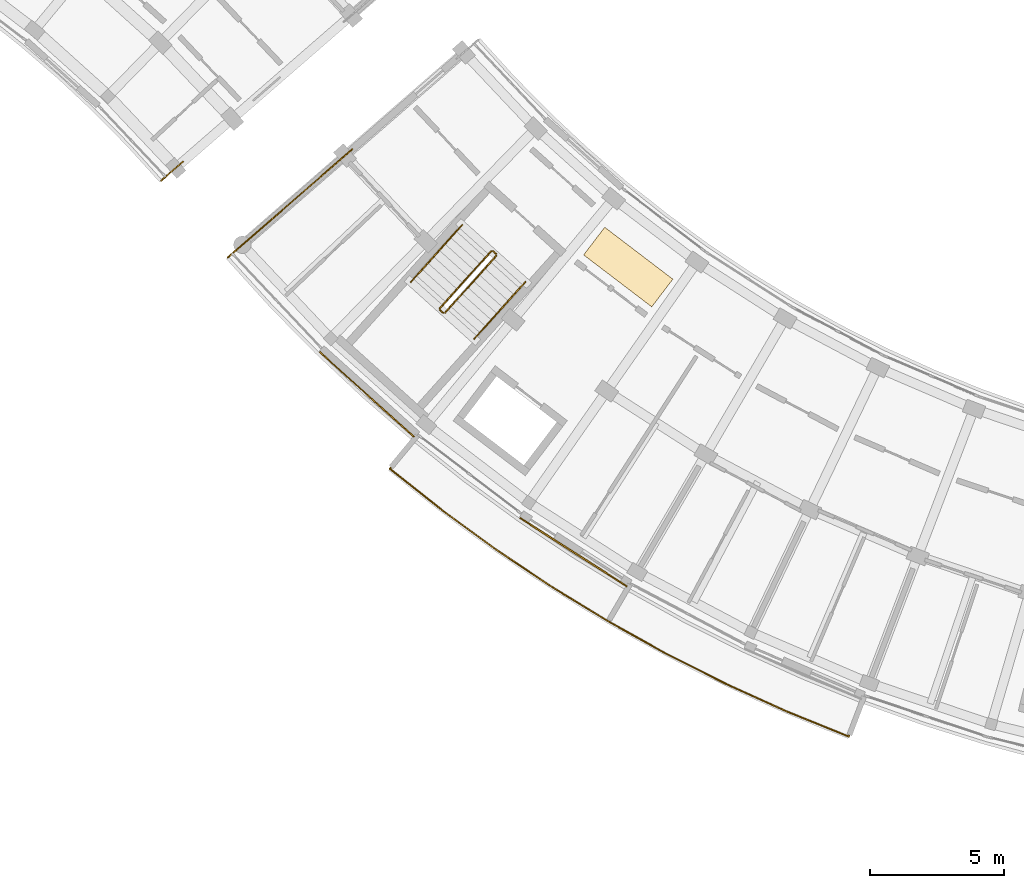
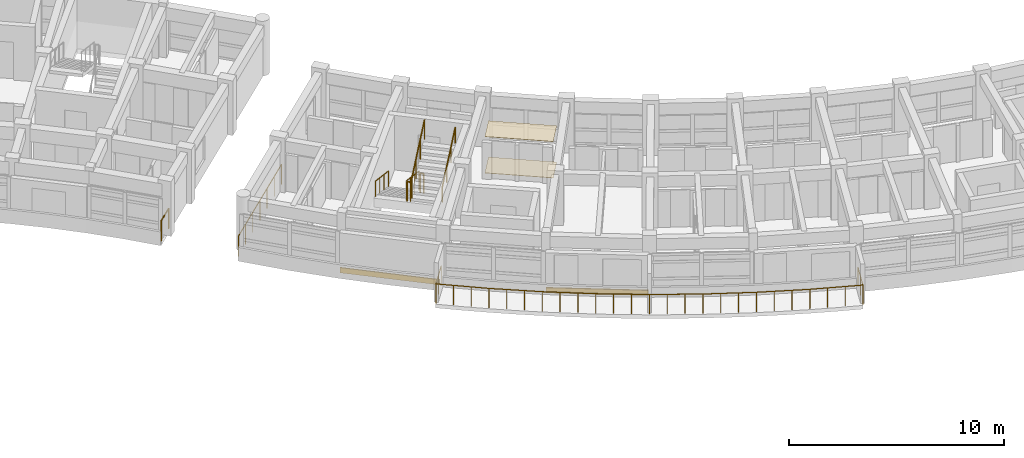
# One storey, part 44 of 50: 9 railings, 4 coverings.
"""IFC4 building model written with IfcOpenShell, lengths in metres."""

from ifc_helpers import new_model, si_unit, direction, frame, origin, origin_2d, place, context, subcontext, project, spatial, rectangle, circle, extrude, material, layer, layer_set, type_object, element, save


model = new_model("IFC4")

# Units and contexts
model_context = context("Model", 3, precision=1e-05, world=origin(), true_north=direction((0.0, 1.0)))
body_context = subcontext(model_context, "Body", "Model", "MODEL_VIEW")
ifc_project = project(units=[si_unit("LENGTHUNIT", "METRE"), si_unit("AREAUNIT", "SQUARE_METRE"), si_unit("VOLUMEUNIT", "CUBIC_METRE"), si_unit("PLANEANGLEUNIT", "RADIAN"), si_unit("MASSUNIT", "GRAM", prefix="KILO")], contexts=[model_context])

# Site, building, storey
site_placement = place(None, origin())
site = spatial("IfcSite", under=ifc_project, at=site_placement, CompositionType="ELEMENT")
building_placement = place(site_placement, origin())
building = spatial("IfcBuilding", under=site, at=building_placement, Name="Zimvara Arc Housing Community", CompositionType="ELEMENT")
storey_placement = place(building_placement, frame((0.0, 0.0, 26.699951171875)))
storey = spatial("IfcBuildingStorey", under=building, at=storey_placement, Name="L08", CompositionType="ELEMENT", Elevation=26.699951171875)

# Coverings
ifc_material_1 = material(Name="Pale-Gold Anodised Aluminium Cladding", Category="aluminium")
ifc_layer_1 = layer(ifc_material_1, 0.044921875)
ifc_layer_set_1 = layer_set([ifc_layer_1], Name="Pale-Gold Anodised Aluminium Cladding")
covering_type_1 = type_object("IfcCoveringType", Name="CLD-GOLD-02", PredefinedType="CLADDING", material=ifc_layer_set_1)
covering_1_placement = place(storey_placement, frame((86.1943359375, 65.642333984375, 0.01025390625), z_axis=(0.0, 0.0, 1.0), x_axis=(0.74337718344, -0.668872456557, 0.0)))
element("IfcCovering", 1, at=covering_1_placement, inside=storey, type_object=covering_type_1, Name="cld:blkC:L08:out:b1", PredefinedType="CLADDING", context=body_context, shape_type="SweptSolid", body=[
    extrude(rectangle(XDim=4.748779296875, YDim=0.044921875, at=origin_2d()), origin(), (0.0, 0.0, 1.0), 0.300048828125),
])
ifc_material_2 = material(Name="Pale-Gold Anodised Aluminium Cladding", Category="aluminium")
ifc_layer_2 = layer(ifc_material_2, 0.054931640625)
ifc_layer_set_2 = layer_set([ifc_layer_2], Name="Pale-Gold Anodised Aluminium Cladding")
covering_type_2 = type_object("IfcCoveringType", Name="CLD-GOLD-04", PredefinedType="CLADDING", material=ifc_layer_set_2)
covering_2_placement = place(storey_placement, frame((93.909912109375, 59.751953125, 0.01025390625), z_axis=(0.0, 0.0, 1.0), x_axis=(0.842265220048, -0.53906335351, 0.0)))
element("IfcCovering", 2, at=covering_2_placement, inside=storey, type_object=covering_type_2, Name="cld:blkC:L08:out:b3", PredefinedType="CLADDING", context=body_context, shape_type="SweptSolid", body=[
    extrude(rectangle(XDim=4.748779296875, YDim=0.054931640625, at=origin_2d()), origin(), (0.0, 0.0, 1.0), 0.300048828125),
])
ifc_material_3 = material(Name="Perforated Acoustic Ceiling Board")
ifc_layer_3 = layer(ifc_material_3, 0.01806640625)
ifc_layer_set_3 = layer_set([ifc_layer_3], Name="Perforated Acoustic Ceiling Board")
covering_type_3 = type_object("IfcCoveringType", Name="COV-CEIL-01", PredefinedType="CEILING", material=ifc_layer_set_3)
covering_3_placement = place(storey_placement, frame((95.954833984375, 70.40087890625, 2.06201171875), z_axis=(0.0, 0.0, 1.0), x_axis=(-0.605988400266, -0.795473480855, 0.0)))
element("IfcCovering", 3, at=covering_3_placement, inside=storey, type_object=covering_type_3, Name="ceil:blkC:L08", PredefinedType="CEILING", context=body_context, shape_type="SweptSolid", body=[
    extrude(rectangle(XDim=1.300048828125, YDim=3.199951171875, at=origin_2d()), origin(), (0.0, 0.0, 1.0), 0.01806640625),
])
ifc_material_4 = material(Name="Polished Coastal Sand Terrazzo")
ifc_layer_4 = layer(ifc_material_4, 0.02001953125)
ifc_layer_set_4 = layer_set([ifc_layer_4], Name="Polished Coastal Sand Terrazzo")
covering_type_4 = type_object("IfcCoveringType", Name="COV-FLOR-01", PredefinedType="FLOORING", material=ifc_layer_set_4)
covering_4_placement = place(storey_placement, frame((95.954833984375, 70.40087890625, 0.0), z_axis=(0.0, 0.0, 1.0), x_axis=(-0.605988400266, -0.795473480855, 0.0)))
element("IfcCovering", 4, at=covering_4_placement, inside=storey, type_object=covering_type_4, Name="flor:blkC:L08", PredefinedType="FLOORING", context=body_context, shape_type="SweptSolid", body=[
    extrude(rectangle(XDim=1.300048828125, YDim=3.199951171875, at=origin_2d()), origin(), (0.0, 0.0, 1.0), 0.02001953125),
])

# Railings
ifc_material_5 = material(Name="Anodised Aluminium AW-6063", Category="aluminium")
railing_type_1 = type_object("IfcRailingType", Name="RLG-BAL-1120", PredefinedType="BALUSTRADE", material=ifc_material_5)
railing_1_placement = place(storey_placement, frame((87.9892578125, 64.00244140625, 0.0)))
element("IfcRailing", 5, at=railing_1_placement, inside=storey, type_object=railing_type_1, Name="rlg:blkC:L08:bal_out_guard", PredefinedType="BALUSTRADE", context=body_context, shape_type="SweptSolid", body=[
    extrude(circle(Radius=0.02392578125, at=origin_2d()), frame((0.0, 0.0, 1.09619140625), z_axis=(-0.637910943987, -0.770110139877, 0.0), x_axis=(0.770110139877, -0.637910943987, 0.0)), (0.0, 0.0, 1.0), 1.469970703125),
    extrude(circle(Radius=0.02392578125, at=origin_2d()), frame((-0.937744140625, -1.132080078125, 1.09619140625), z_axis=(0.782995761949, -0.622027038616, 0.0), x_axis=(0.622027038616, 0.782995761949, 0.0)), (0.0, 0.0, 1.0), 2.491943359375),
    extrude(circle(Radius=0.02392578125, at=origin_2d()), frame((1.013427734375, -2.68212890625, 1.09619140625), z_axis=(0.807645933057, -0.58966774273, 0.0), x_axis=(0.58966774273, 0.807645933057, 0.0)), (0.0, 0.0, 1.0), 2.491943359375),
    extrude(circle(Radius=0.02392578125, at=origin_2d()), frame((3.026123046875, -4.151611328125, 1.09619140625), z_axis=(0.831084288939, -0.556146477719, 0.0), x_axis=(0.556146477719, 0.831084288939, 0.0)), (0.0, 0.0, 1.0), 2.49169921875),
    extrude(circle(Radius=0.02392578125, at=origin_2d()), frame((5.096923828125, -5.537353515625, 1.09619140625), z_axis=(0.85308804422, -0.521766987083, 0.0), x_axis=(0.521766987083, 0.85308804422, 0.0)), (0.0, 0.0, 1.0), 2.4921875),
    extrude(circle(Radius=0.02392578125, at=origin_2d()), frame((7.222900390625, -6.837646484375, 1.09619140625), z_axis=(0.873694706728, -0.48647462363, 0.0), x_axis=(0.48647462363, 0.873694706728, 0.0)), (0.0, 0.0, 1.0), 2.49169921875),
    extrude(circle(Radius=0.02392578125, at=origin_2d()), frame((9.39990234375, -8.0498046875, 1.09619140625), z_axis=(0.892794985218, -0.450463221994, 0.0), x_axis=(0.450463221994, 0.892794985218, 0.0)), (0.0, 0.0, 1.0), 2.491943359375),
    extrude(circle(Radius=0.02392578125, at=origin_2d()), frame((11.624755859375, -9.17236328125, 1.09619140625), z_axis=(0.910497277135, -0.413515064212, 0.0), x_axis=(0.413515064212, 0.910497277135, 0.0)), (0.0, 0.0, 1.0), 2.4921875),
    extrude(circle(Radius=0.02392578125, at=origin_2d()), frame((13.893798828125, -10.202880859375, 1.09619140625), z_axis=(0.926599979092, -0.376048505843, 0.0), x_axis=(0.376048505843, 0.926599979092, 0.0)), (0.0, 0.0, 1.0), 2.49169921875),
    extrude(circle(Radius=0.02392578125, at=origin_2d()), frame((16.20263671875, -11.139892578125, 1.09619140625), z_axis=(0.357086323574, 0.934071387805, 0.0), x_axis=(-0.934071387805, 0.357086323574, 0.0)), (0.0, 0.0, 1.0), 1.469970703125),
    extrude(circle(Radius=0.02099609375, at=origin_2d()), origin(), (0.0, 0.0, 1.0), 1.072021484375),
    extrude(circle(Radius=0.02099609375, at=origin_2d()), frame((-0.46875, -0.56591796875, 0.0)), (0.0, 0.0, 1.0), 1.072021484375),
    extrude(circle(Radius=0.02099609375, at=origin_2d()), frame((-0.937744140625, -1.132080078125, 0.0)), (0.0, 0.0, 1.0), 1.072021484375),
    extrude(circle(Radius=0.02099609375, at=origin_2d()), frame((-0.287353515625, -1.648681640625, 0.0)), (0.0, 0.0, 1.0), 1.072021484375),
    extrude(circle(Radius=0.02099609375, at=origin_2d()), frame((0.363037109375, -2.16552734375, 0.0)), (0.0, 0.0, 1.0), 1.072021484375),
    extrude(circle(Radius=0.02099609375, at=origin_2d()), frame((1.013427734375, -2.68212890625, 0.0)), (0.0, 0.0, 1.0), 1.072021484375),
    extrude(circle(Radius=0.02099609375, at=origin_2d()), frame((1.684326171875, -3.171875, 0.0)), (0.0, 0.0, 1.0), 1.072021484375),
    extrude(circle(Radius=0.02099609375, at=origin_2d()), frame((2.355224609375, -3.661865234375, 0.0)), (0.0, 0.0, 1.0), 1.072021484375),
    extrude(circle(Radius=0.02099609375, at=origin_2d()), frame((3.026123046875, -4.151611328125, 0.0)), (0.0, 0.0, 1.0), 1.072021484375),
    extrude(circle(Radius=0.02099609375, at=origin_2d()), frame((3.71630859375, -4.613525390625, 0.0)), (0.0, 0.0, 1.0), 1.072021484375),
    extrude(circle(Radius=0.02099609375, at=origin_2d()), frame((4.40673828125, -5.075439453125, 0.0)), (0.0, 0.0, 1.0), 1.072021484375),
    extrude(circle(Radius=0.02099609375, at=origin_2d()), frame((5.096923828125, -5.537353515625, 0.0)), (0.0, 0.0, 1.0), 1.072021484375),
    extrude(circle(Radius=0.02099609375, at=origin_2d()), frame((5.8056640625, -5.970703125, 0.0)), (0.0, 0.0, 1.0), 1.072021484375),
    extrude(circle(Radius=0.02099609375, at=origin_2d()), frame((6.51416015625, -6.404296875, 0.0)), (0.0, 0.0, 1.0), 1.072021484375),
    extrude(circle(Radius=0.02099609375, at=origin_2d()), frame((7.222900390625, -6.837646484375, 0.0)), (0.0, 0.0, 1.0), 1.072021484375),
    extrude(circle(Radius=0.02099609375, at=origin_2d()), frame((7.948486328125, -7.24169921875, 0.0)), (0.0, 0.0, 1.0), 1.072021484375),
    extrude(circle(Radius=0.02099609375, at=origin_2d()), frame((8.67431640625, -7.645751953125, 0.0)), (0.0, 0.0, 1.0), 1.072021484375),
    extrude(circle(Radius=0.02099609375, at=origin_2d()), frame((9.39990234375, -8.0498046875, 0.0)), (0.0, 0.0, 1.0), 1.072021484375),
    extrude(circle(Radius=0.02099609375, at=origin_2d()), frame((10.1416015625, -8.424072265625, 0.0)), (0.0, 0.0, 1.0), 1.072021484375),
    extrude(circle(Radius=0.02099609375, at=origin_2d()), frame((10.883056640625, -8.798095703125, 0.0)), (0.0, 0.0, 1.0), 1.072021484375),
    extrude(circle(Radius=0.02099609375, at=origin_2d()), frame((11.624755859375, -9.17236328125, 0.0)), (0.0, 0.0, 1.0), 1.072021484375),
    extrude(circle(Radius=0.02099609375, at=origin_2d()), frame((12.381103515625, -9.515869140625, 0.0)), (0.0, 0.0, 1.0), 1.072021484375),
    extrude(circle(Radius=0.02099609375, at=origin_2d()), frame((13.137451171875, -9.859375, 0.0)), (0.0, 0.0, 1.0), 1.072021484375),
    extrude(circle(Radius=0.02099609375, at=origin_2d()), frame((13.893798828125, -10.202880859375, 0.0)), (0.0, 0.0, 1.0), 1.072021484375),
    extrude(circle(Radius=0.02099609375, at=origin_2d()), frame((14.663330078125, -10.51513671875, 0.0)), (0.0, 0.0, 1.0), 1.072021484375),
    extrude(circle(Radius=0.02099609375, at=origin_2d()), frame((15.43310546875, -10.82763671875, 0.0)), (0.0, 0.0, 1.0), 1.072021484375),
    extrude(circle(Radius=0.02099609375, at=origin_2d()), frame((16.20263671875, -11.139892578125, 0.0)), (0.0, 0.0, 1.0), 1.072021484375),
    extrude(circle(Radius=0.02099609375, at=origin_2d()), frame((16.465087890625, -10.453369140625, 0.0)), (0.0, 0.0, 1.0), 1.072021484375),
    extrude(circle(Radius=0.02099609375, at=origin_2d()), frame((16.7275390625, -9.766845703125, 0.0)), (0.0, 0.0, 1.0), 1.072021484375),
])
railing_2_placement = place(storey_placement, frame((90.83447265625, 70.993896484375, 0.155029296875)))
element("IfcRailing", 6, at=railing_2_placement, inside=storey, type_object=railing_type_1, Name="L08 ST-C1 stair guard 1", PredefinedType="BALUSTRADE", context=body_context, shape_type="SweptSolid", body=[
    extrude(circle(Radius=0.02392578125, at=origin_2d()), frame((0.0, 0.0, 1.09619140625), z_axis=(-0.601262536038, -0.668205807809, 0.438160200347), x_axis=(0.743362010683, -0.668889319, 0.0)), (0.0, 0.0, 1.0), 3.183837890625),
    extrude(circle(Radius=0.02099609375, at=origin_2d()), origin(), (0.0, 0.0, 1.0), 1.072021484375),
    extrude(circle(Radius=0.02099609375, at=origin_2d()), frame((-0.63818359375, -0.709228515625, 0.465087890625)), (0.0, 0.0, 1.0), 1.072021484375),
    extrude(circle(Radius=0.02099609375, at=origin_2d()), frame((-1.276123046875, -1.418212890625, 0.929931640625)), (0.0, 0.0, 1.0), 1.072021484375),
    extrude(circle(Radius=0.02099609375, at=origin_2d()), frame((-1.914306640625, -2.12744140625, 1.39501953125)), (0.0, 0.0, 1.0), 1.072021484375),
])
railing_3_placement = place(storey_placement, frame((88.923828125, 68.795654296875, 1.550048828125)))
element("IfcRailing", 7, at=railing_3_placement, inside=storey, type_object=railing_type_1, Name="L08 ST-C1 stair guard 2", PredefinedType="BALUSTRADE", context=body_context, shape_type="SweptSolid", body=[
    extrude(circle(Radius=0.02392578125, at=origin_2d()), frame((0.0, 0.0, 1.09619140625), z_axis=(0.744203407529, -0.667953058397, 0.0), x_axis=(0.667953058397, 0.744203407529, 0.0)), (0.0, 0.0, 1.0), 0.16015625),
    extrude(circle(Radius=0.02099609375, at=origin_2d()), origin(), (0.0, 0.0, 1.0), 1.072021484375),
    extrude(circle(Radius=0.02099609375, at=origin_2d()), frame((0.119140625, -0.10693359375, 0.0)), (0.0, 0.0, 1.0), 1.072021484375),
])
railing_4_placement = place(storey_placement, frame((89.113525390625, 68.6923828125, 1.705078125)))
element("IfcRailing", 8, at=railing_4_placement, inside=storey, type_object=railing_type_1, Name="L08 ST-C1 stair guard 3", PredefinedType="BALUSTRADE", context=body_context, shape_type="SweptSolid", body=[
    extrude(circle(Radius=0.02392578125, at=origin_2d()), frame((0.0, 0.0, 1.09619140625), z_axis=(0.601231728384, 0.668248248038, 0.438137749775), x_axis=(-0.743400174344, 0.668846903847, 0.0)), (0.0, 0.0, 1.0), 3.18408203125),
    extrude(circle(Radius=0.02099609375, at=origin_2d()), origin(), (0.0, 0.0, 1.0), 1.072021484375),
    extrude(circle(Radius=0.02099609375, at=origin_2d()), frame((0.63818359375, 0.709228515625, 0.465087890625)), (0.0, 0.0, 1.0), 1.072021484375),
    extrude(circle(Radius=0.02099609375, at=origin_2d()), frame((1.276123046875, 1.41845703125, 0.929931640625)), (0.0, 0.0, 1.0), 1.072021484375),
    extrude(circle(Radius=0.02099609375, at=origin_2d()), frame((1.914306640625, 2.127685546875, 1.39501953125)), (0.0, 0.0, 1.0), 1.072021484375),
])
railing_5_placement = place(storey_placement, frame((90.905029296875, 70.99755859375, 0.0)))
element("IfcRailing", 9, at=railing_5_placement, inside=storey, type_object=railing_type_1, Name="L08 ST-C1 stair guard 4", PredefinedType="BALUSTRADE", context=body_context, shape_type="SweptSolid", body=[
    extrude(circle(Radius=0.02392578125, at=origin_2d()), frame((0.0, 0.0, 1.09619140625), z_axis=(0.744203407529, -0.667953058397, 0.0), x_axis=(0.667953058397, 0.744203407529, 0.0)), (0.0, 0.0, 1.0), 0.16015625),
    extrude(circle(Radius=0.02099609375, at=origin_2d()), origin(), (0.0, 0.0, 1.0), 1.072021484375),
    extrude(circle(Radius=0.02099609375, at=origin_2d()), frame((0.119140625, -0.10693359375, 0.0)), (0.0, 0.0, 1.0), 1.072021484375),
])
ifc_material_6 = material(Name="Anodised Aluminium AW-6063", Category="aluminium")
railing_type_2 = type_object("IfcRailingType", Name="RLG-BAL-1150", PredefinedType="BALUSTRADE", material=ifc_material_6)
railing_6_placement = place(storey_placement, frame((78.509033203125, 73.62890625, 0.0)))
element("IfcRailing", 10, at=railing_6_placement, inside=storey, type_object=railing_type_2, Name="rlg:blkB:L08:gable_in:gN", PredefinedType="BALUSTRADE", context=body_context, shape_type="SweptSolid", body=[
    extrude(circle(Radius=0.02392578125, at=origin_2d()), frame((0.0, 0.0, 1.1259765625), z_axis=(0.754659042762, 0.656117161167, 0.0), x_axis=(-0.656117161167, 0.754659042762, 0.0)), (0.0, 0.0, 1.0), 1.080322265625),
    extrude(circle(Radius=0.02099609375, at=origin_2d()), origin(), (0.0, 0.0, 1.0), 1.101806640625),
    extrude(circle(Radius=0.02099609375, at=origin_2d()), frame((0.815185546875, 0.708740234375, 0.0)), (0.0, 0.0, 1.0), 1.101806640625),
])
railing_7_placement = place(storey_placement, frame((85.6484375, 74.80029296875, 0.0)))
element("IfcRailing", 11, at=railing_7_placement, inside=storey, type_object=railing_type_2, Name="rlg:blkC:L08:gable_out:g0", PredefinedType="BALUSTRADE", context=body_context, shape_type="SweptSolid", body=[
    extrude(circle(Radius=0.02392578125, at=origin_2d()), frame((0.0, 0.0, 1.1259765625), z_axis=(-0.754706192268, -0.656062926367, 0.0), x_axis=(0.656062926367, -0.754706192268, 0.0)), (0.0, 0.0, 1.0), 6.16015625),
    extrude(circle(Radius=0.02099609375, at=origin_2d()), origin(), (0.0, 0.0, 1.0), 1.101806640625),
    extrude(circle(Radius=0.02099609375, at=origin_2d()), frame((-0.77490234375, -0.673583984375, 0.0)), (0.0, 0.0, 1.0), 1.101806640625),
    extrude(circle(Radius=0.02099609375, at=origin_2d()), frame((-1.5498046875, -1.34716796875, 0.0)), (0.0, 0.0, 1.0), 1.101806640625),
    extrude(circle(Radius=0.02099609375, at=origin_2d()), frame((-2.32470703125, -2.020751953125, 0.0)), (0.0, 0.0, 1.0), 1.101806640625),
    extrude(circle(Radius=0.02099609375, at=origin_2d()), frame((-3.099365234375, -2.6943359375, 0.0)), (0.0, 0.0, 1.0), 1.101806640625),
    extrude(circle(Radius=0.02099609375, at=origin_2d()), frame((-3.874267578125, -3.367919921875, 0.0)), (0.0, 0.0, 1.0), 1.101806640625),
    extrude(circle(Radius=0.02099609375, at=origin_2d()), frame((-4.649169921875, -4.04150390625, 0.0)), (0.0, 0.0, 1.0), 1.101806640625),
])
ifc_material_7 = material(Name="Anodised Aluminium AW-6063", Category="aluminium")
railing_type_3 = type_object("IfcRailingType", Name="RLG-HND-900", PredefinedType="HANDRAIL", material=ifc_material_7)
railing_8_placement = place(storey_placement, frame((89.749267578125, 71.970458984375, 0.155029296875)))
element("IfcRailing", 12, at=railing_8_placement, inside=storey, type_object=railing_type_3, Name="L08 ST-C1 stair handrail 1", PredefinedType="HANDRAIL", context=body_context, shape_type="SweptSolid", body=[
    extrude(circle(Radius=0.02392578125, at=origin_2d()), frame((0.0, 0.0, 0.8759765625), z_axis=(-0.601262536038, -0.668205807809, 0.438160200347), x_axis=(0.743362010683, -0.668889319, 0.0)), (0.0, 0.0, 1.0), 3.183837890625),
    extrude(circle(Radius=0.02099609375, at=origin_2d()), origin(), (0.0, 0.0, 1.0), 0.851806640625),
    extrude(circle(Radius=0.02099609375, at=origin_2d()), frame((-0.63818359375, -0.709228515625, 0.465087890625)), (0.0, 0.0, 1.0), 0.851806640625),
    extrude(circle(Radius=0.02099609375, at=origin_2d()), frame((-1.276123046875, -1.418212890625, 0.929931640625)), (0.0, 0.0, 1.0), 0.851806640625),
    extrude(circle(Radius=0.02099609375, at=origin_2d()), frame((-1.914306640625, -2.12744140625, 1.39501953125)), (0.0, 0.0, 1.0), 0.851806640625),
])
railing_9_placement = place(storey_placement, frame((90.19873046875, 67.7158203125, 1.705078125)))
element("IfcRailing", 13, at=railing_9_placement, inside=storey, type_object=railing_type_3, Name="L08 ST-C1 stair handrail 2", PredefinedType="HANDRAIL", context=body_context, shape_type="SweptSolid", body=[
    extrude(circle(Radius=0.02392578125, at=origin_2d()), frame((0.0, 0.0, 0.8759765625), z_axis=(0.601231728384, 0.668248248038, 0.438137749775), x_axis=(-0.743400174344, 0.668846903847, 0.0)), (0.0, 0.0, 1.0), 3.18408203125),
    extrude(circle(Radius=0.02099609375, at=origin_2d()), origin(), (0.0, 0.0, 1.0), 0.851806640625),
    extrude(circle(Radius=0.02099609375, at=origin_2d()), frame((0.63818359375, 0.709228515625, 0.465087890625)), (0.0, 0.0, 1.0), 0.851806640625),
    extrude(circle(Radius=0.02099609375, at=origin_2d()), frame((1.276123046875, 1.41845703125, 0.929931640625)), (0.0, 0.0, 1.0), 0.851806640625),
    extrude(circle(Radius=0.02099609375, at=origin_2d()), frame((1.914306640625, 2.127685546875, 1.39501953125)), (0.0, 0.0, 1.0), 0.851806640625),
])

save(model, "model.ifc")
